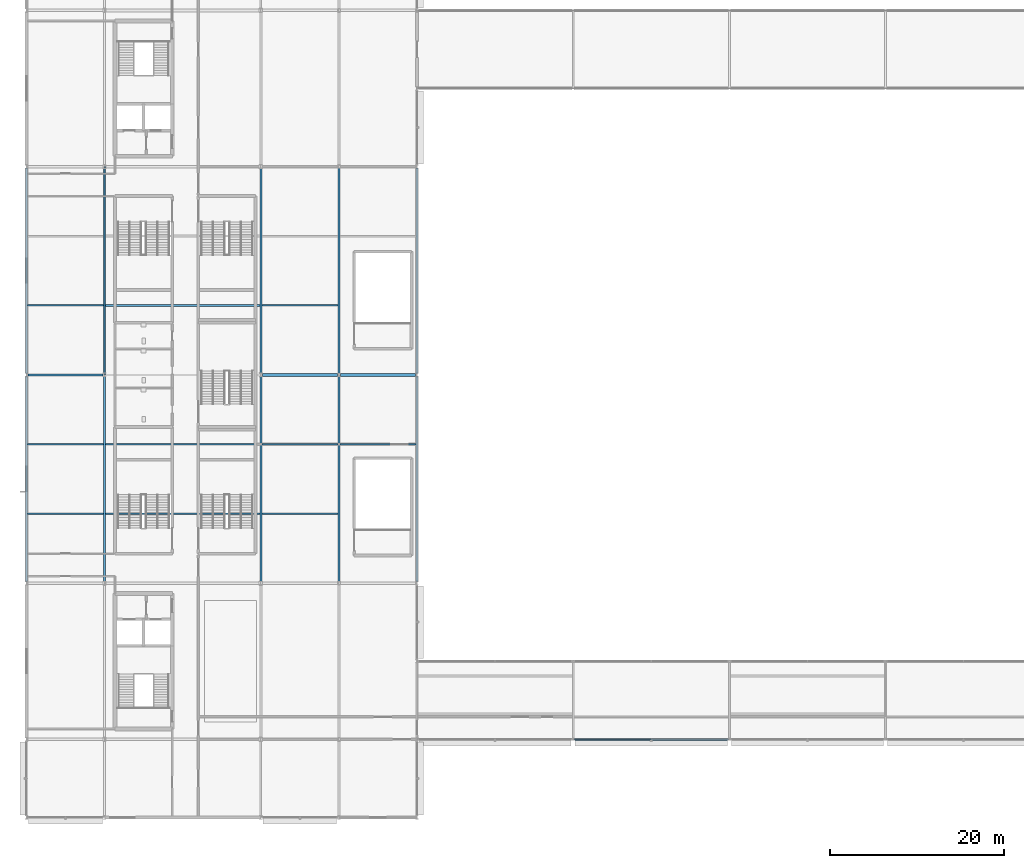
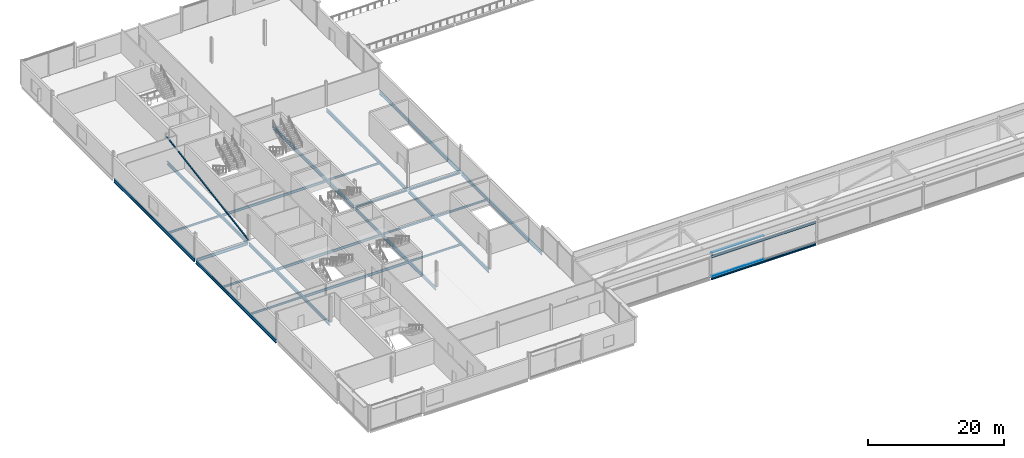
# One storey, part 17 of 73: 25 beams, 3 members, 1 element without a shape of its own.
"""IFC4 building model written with IfcOpenShell, lengths in metres."""

from ifc_helpers import new_model, si_unit, direction, frame, origin, origin_2d, place, context, subcontext, project, spatial, rectangle, hollow_rectangle, i_section, extrude, material, layer, layer_set, material_profile, profile_set, type_object, element, aggregate, save


model = new_model("IFC4")

# Units and contexts
model_context = context("Model", 3, precision=1e-05, world=origin(), true_north=direction((0.0, 1.0)))
body_context = subcontext(model_context, "Body", "Model", "MODEL_VIEW")
ifc_project = project(units=[si_unit("LENGTHUNIT", "METRE"), si_unit("AREAUNIT", "SQUARE_METRE"), si_unit("VOLUMEUNIT", "CUBIC_METRE"), si_unit("PLANEANGLEUNIT", "RADIAN"), si_unit("MASSUNIT", "GRAM", prefix="KILO")], contexts=[model_context])

# Site, building, storey
site_placement = place(None, origin())
site = spatial("IfcSite", under=ifc_project, at=site_placement, CompositionType="ELEMENT")
building_placement = place(site_placement, origin())
building = spatial("IfcBuilding", under=site, at=building_placement, Name="Kisiwana Market Hall", CompositionType="ELEMENT")
storey_placement = place(building_placement, frame((0.0, 0.0, 33.300048828125)))
storey = spatial("IfcBuildingStorey", under=building, at=storey_placement, Name="L07", CompositionType="ELEMENT", Elevation=33.300048828125)

# Beams
ifc_material_1 = material(Name="Steel S355", Category="steel")
ifc_material_profile_1 = material_profile(ifc_material_1, i_section(OverallWidth=0.19140625, OverallDepth=0.4599609375, WebThickness=0.010009765625, FlangeThickness=0.01611328125, at=origin_2d()), Name="UB 457x191x82")
ifc_profile_set_1 = profile_set([ifc_material_profile_1], Name="Steel S355")
beam_type_1 = type_object("IfcBeamType", Name="BM-GIRD-UB457H", PredefinedType="BEAM", material=ifc_profile_set_1)
beam_1_placement = place(storey_placement, frame((63.12109375, 18.0, 3.52783203125), z_axis=(1.0, 0.0, 0.0), x_axis=(0.0, 1.0, 0.0)))
element("IfcBeam", 1, at=beam_1_placement, inside=storey, type_object=beam_type_1, Name="Roof girder B-2058", PredefinedType="BEAM", context=body_context, shape_type="SweptSolid", body=[
    extrude(i_section(OverallWidth=0.19140625, OverallDepth=0.4599609375, WebThickness=0.010009765625, FlangeThickness=0.01611328125, at=origin_2d()), origin(), (0.0, 0.0, 1.0), 17.7578125),
])
ifc_material_2 = material(Name="Steel S355", Category="steel")
ifc_material_profile_2 = material_profile(ifc_material_2, i_section(OverallWidth=0.209228515625, OverallDepth=0.533203125, WebThickness=0.010009765625, FlangeThickness=0.015625, at=origin_2d()), Name="UB 533x210x92")
ifc_profile_set_2 = profile_set([ifc_material_profile_2], Name="Steel S355")
beam_type_2 = type_object("IfcBeamType", Name="BM-GIRD-UB533", PredefinedType="BEAM", material=ifc_profile_set_2)
beam_2_placement = place(storey_placement, frame((0.18115234375, 60.0, -0.546630859375), z_axis=(1.0, 0.0, 0.0), x_axis=(0.0, 1.0, 0.0)))
element("IfcBeam", 2, at=beam_2_placement, inside=storey, type_object=beam_type_2, Name="Primary girder B-1879", PredefinedType="BEAM", context=body_context, shape_type="SweptSolid", body=[
    extrude(i_section(OverallWidth=0.209228515625, OverallDepth=0.533203125, WebThickness=0.010009765625, FlangeThickness=0.015625, at=origin_2d()), origin(), (0.0, 0.0, 1.0), 8.635498046875),
])
ifc_material_3 = material(Name="Steel S355", Category="steel")
ifc_material_profile_3 = material_profile(ifc_material_3, i_section(OverallWidth=0.22900390625, OverallDepth=0.6123046875, WebThickness=0.011962890625, FlangeThickness=0.01953125, at=origin_2d()), Name="UB 610x229x125")
ifc_profile_set_3 = profile_set([ifc_material_profile_3], Name="Steel S355")
beam_type_3 = type_object("IfcBeamType", Name="BM-GIRD-UB610H", PredefinedType="BEAM", material=ifc_profile_set_3)
for number, where, z_axis, x_axis, name in (
    (3, (0.0, 36.177001953125, -0.586181640625), (0.0, 1.0, 0.0), (-1.0, 0.0, 0.0), "Floor beam B-2031"),
    (4, (0.0, 60.177001953125, -0.586181640625), (0.0, 1.0, 0.0), (-1.0, 0.0, 0.0), "Floor beam B-2032"),
):
    element("IfcBeam", number, at=place(storey_placement, frame(where, z_axis=z_axis, x_axis=x_axis)), inside=storey, type_object=beam_type_3, Name=name, PredefinedType="BEAM", context=body_context, shape_type="SweptSolid", body=[
        extrude(i_section(OverallWidth=0.22900390625, OverallDepth=0.6123046875, WebThickness=0.011962890625, FlangeThickness=0.01953125, at=origin_2d()), origin(), (0.0, 0.0, 1.0), 23.64599609375),
    ])
for number, where, z_axis, x_axis, name in (
    (5, (27.0, 36.183349609375, -0.586181640625), (0.0, 1.0, 0.0), (-1.0, 0.0, 0.0), "Floor beam B-2035"),
    (6, (27.0, 60.183349609375, -0.586181640625), (0.0, 1.0, 0.0), (-1.0, 0.0, 0.0), "Floor beam B-2036"),
):
    element("IfcBeam", number, at=place(storey_placement, frame(where, z_axis=z_axis, x_axis=x_axis)), inside=storey, type_object=beam_type_3, Name=name, PredefinedType="BEAM", context=body_context, shape_type="SweptSolid", body=[
        extrude(i_section(OverallWidth=0.22900390625, OverallDepth=0.6123046875, WebThickness=0.011962890625, FlangeThickness=0.01953125, at=origin_2d()), origin(), (0.0, 0.0, 1.0), 23.63330078125),
    ])
for number, where, z_axis, x_axis, name in (
    (7, (45.0, 36.177001953125, -0.586181640625), (0.0, 1.0, 0.0), (-1.0, 0.0, 0.0), "Floor beam B-2039"),
    (8, (45.0, 60.177001953125, -0.586181640625), (0.0, 1.0, 0.0), (-1.0, 0.0, 0.0), "Floor beam B-2040"),
):
    element("IfcBeam", number, at=place(storey_placement, frame(where, z_axis=z_axis, x_axis=x_axis)), inside=storey, type_object=beam_type_3, Name=name, PredefinedType="BEAM", context=body_context, shape_type="SweptSolid", body=[
        extrude(i_section(OverallWidth=0.22900390625, OverallDepth=0.6123046875, WebThickness=0.011962890625, FlangeThickness=0.01953125, at=origin_2d()), origin(), (0.0, 0.0, 1.0), 23.64599609375),
    ])
for number, where, z_axis, x_axis, name in (
    (9, (9.0, 36.183349609375, -0.586181640625), (0.0, 1.0, 0.0), (-1.0, 0.0, 0.0), "Primary girder B-1883"),
    (10, (9.0, 60.183349609375, -0.586181640625), (0.0, 1.0, 0.0), (-1.0, 0.0, 0.0), "Primary girder B-1884"),
):
    element("IfcBeam", number, at=place(storey_placement, frame(where, z_axis=z_axis, x_axis=x_axis)), inside=storey, type_object=beam_type_3, Name=name, PredefinedType="BEAM", context=body_context, shape_type="SweptSolid", body=[
        extrude(i_section(OverallWidth=0.22900390625, OverallDepth=0.6123046875, WebThickness=0.011962890625, FlangeThickness=0.01953125, at=origin_2d()), origin(), (0.0, 0.0, 1.0), 23.63330078125),
    ])
for number, where, z_axis, x_axis, name in (
    (11, (36.0, 36.177001953125, -0.586181640625), (0.0, 1.0, 0.0), (-1.0, 0.0, 0.0), "Primary girder B-1893"),
    (12, (36.0, 60.177001953125, -0.586181640625), (0.0, 1.0, 0.0), (-1.0, 0.0, 0.0), "Primary girder B-1894"),
):
    element("IfcBeam", number, at=place(storey_placement, frame(where, z_axis=z_axis, x_axis=x_axis)), inside=storey, type_object=beam_type_3, Name=name, PredefinedType="BEAM", context=body_context, shape_type="SweptSolid", body=[
        extrude(i_section(OverallWidth=0.22900390625, OverallDepth=0.6123046875, WebThickness=0.011962890625, FlangeThickness=0.01953125, at=origin_2d()), origin(), (0.0, 0.0, 1.0), 23.64599609375),
    ])
ifc_material_4 = material(Name="Steel S355", Category="steel")
ifc_material_profile_4 = material_profile(ifc_material_4, i_section(OverallWidth=0.17138671875, OverallDepth=0.35498046875, WebThickness=0.00732421875, FlangeThickness=0.011474609375, at=origin_2d()), Name="UB 356x171x51")
ifc_profile_set_4 = profile_set([ifc_material_profile_4], Name="Steel S355")
beam_type_4 = type_object("IfcBeamType", Name="BM-JOIST-UB356", PredefinedType="JOIST", material=ifc_profile_set_4)
for number, where, z_axis, x_axis, name in (
    (13, (0.113525390625, 44.0, -0.45751953125), (1.0, 0.0, 0.0), (0.0, 1.0, 0.0), "Secondary floor joist B-1927"),
    (14, (27.113525390625, 44.0, -0.45751953125), (1.0, 0.0, 0.0), (0.0, 1.0, 0.0), "Secondary floor joist B-1929"),
    (15, (0.113525390625, 52.0, -0.45751953125), (1.0, 0.0, 0.0), (0.0, 1.0, 0.0), "Secondary floor joist B-1933"),
    (16, (27.113525390625, 52.0, -0.45751953125), (1.0, 0.0, 0.0), (0.0, 1.0, 0.0), "Secondary floor joist B-1935"),
    (17, (36.113525390625, 52.0, -0.45751953125), (1.0, 0.0, 0.0), (0.0, 1.0, 0.0), "Secondary floor joist B-1936"),
    (18, (0.113525390625, 68.0, -0.45751953125), (1.0, 0.0, 0.0), (0.0, 1.0, 0.0), "Secondary floor joist B-1941"),
    (19, (27.113525390625, 68.0, -0.45751953125), (1.0, 0.0, 0.0), (0.0, 1.0, 0.0), "Secondary floor joist B-1943"),
):
    element("IfcBeam", number, at=place(storey_placement, frame(where, z_axis=z_axis, x_axis=x_axis)), inside=storey, type_object=beam_type_4, Name=name, PredefinedType="JOIST", context=body_context, shape_type="SweptSolid", body=[
        extrude(i_section(OverallWidth=0.17138671875, OverallDepth=0.35498046875, WebThickness=0.00732421875, FlangeThickness=0.011474609375, at=origin_2d()), origin(), (0.0, 0.0, 1.0), 8.77294921875),
    ])
ifc_material_5 = material(Name="Steel S355", Category="steel")
ifc_material_profile_5 = material_profile(ifc_material_5, i_section(OverallWidth=0.18994140625, OverallDepth=0.453369140625, WebThickness=0.008544921875, FlangeThickness=0.0126953125, at=origin_2d()), Name="UB 457x191x67")
ifc_profile_set_5 = profile_set([ifc_material_profile_5], Name="Steel S355")
beam_type_5 = type_object("IfcBeamType", Name="BM-JOIST-UB457", PredefinedType="JOIST", material=ifc_profile_set_5)
for number, where, z_axis, x_axis, name in (
    (20, (9.113525390625, 44.0, -0.5068359375), (1.0, 0.0, 0.0), (0.0, 1.0, 0.0), "Secondary floor joist B-1928"),
    (21, (9.113525390625, 52.0, -0.5068359375), (1.0, 0.0, 0.0), (0.0, 1.0, 0.0), "Secondary floor joist B-1934"),
    (22, (9.113525390625, 68.0, -0.5068359375), (1.0, 0.0, 0.0), (0.0, 1.0, 0.0), "Secondary floor joist B-1942"),
):
    element("IfcBeam", number, at=place(storey_placement, frame(where, z_axis=z_axis, x_axis=x_axis)), inside=storey, type_object=beam_type_5, Name=name, PredefinedType="JOIST", context=body_context, shape_type="SweptSolid", body=[
        extrude(i_section(OverallWidth=0.18994140625, OverallDepth=0.453369140625, WebThickness=0.008544921875, FlangeThickness=0.0126953125, at=origin_2d()), origin(), (0.0, 0.0, 1.0), 17.77294921875),
    ])
ifc_material_6 = material(Name="Steel S355", Category="steel")
ifc_material_profile_6 = material_profile(ifc_material_6, i_section(OverallWidth=0.314453125, OverallDepth=0.33984375, WebThickness=0.01904296875, FlangeThickness=0.031494140625, at=origin_2d()), Name="UC 305x305x198")
ifc_profile_set_6 = profile_set([ifc_material_profile_6], Name="Steel S355")
beam_type_6 = type_object("IfcBeamType", Name="BM-SKYBR-CHORD", PredefinedType="BEAM", material=ifc_profile_set_6)
beam_3_placement = place(storey_placement, frame((63.12109375, 18.0, -0.43505859375), z_axis=(1.0, 0.0, 0.0), x_axis=(0.0, 1.0, 0.0)))
element("IfcBeam", 23, at=beam_3_placement, inside=storey, type_object=beam_type_6, Name="Floor beam B-1968", PredefinedType="BEAM", context=body_context, shape_type="SweptSolid", body=[
    extrude(i_section(OverallWidth=0.314453125, OverallDepth=0.33984375, WebThickness=0.01904296875, FlangeThickness=0.031494140625, at=origin_2d()), origin(), (0.0, 0.0, 1.0), 17.7578125),
])
beam_4_placement = place(storey_placement, frame((27.183349609375, 60.0, -0.449951171875), z_axis=(1.0, 0.0, 0.0), x_axis=(0.0, 1.0, 0.0)))
element("IfcBeam", 24, at=beam_4_placement, inside=storey, type_object=beam_type_6, Name="Floor beam B-1991", PredefinedType="BEAM", context=body_context, shape_type="SweptSolid", body=[
    extrude(i_section(OverallWidth=0.314453125, OverallDepth=0.33984375, WebThickness=0.01904296875, FlangeThickness=0.031494140625, at=origin_2d()), origin(), (0.0, 0.0, 1.0), 8.635498046875),
])
beam_5_placement = place(storey_placement, frame((36.18115234375, 60.0, -0.449951171875), z_axis=(1.0, 0.0, 0.0), x_axis=(0.0, 1.0, 0.0)))
element("IfcBeam", 25, at=beam_5_placement, inside=storey, type_object=beam_type_6, Name="Floor beam B-1877", PredefinedType="BEAM", context=body_context, shape_type="SweptSolid", body=[
    extrude(i_section(OverallWidth=0.314453125, OverallDepth=0.33984375, WebThickness=0.01904296875, FlangeThickness=0.031494140625, at=origin_2d()), origin(), (0.0, 0.0, 1.0), 8.6376953125),
])

# Curtain wall, members
ifc_material_7 = material(Name="Double-glazed solar-control low-E IGU", Category="glass")
ifc_layer = layer(ifc_material_7, 0.159912109375)
ifc_layer_set = layer_set([ifc_layer], Name="CW-BRG-L07-8200")
curtain_wall_type = type_object("IfcCurtainWallType", Name="CW-BRG-L07-8200", PredefinedType="USERDEFINED", material=ifc_layer_set)
curtain_wall_placement = place(storey_placement, origin())
curtain_wall = element("IfcCurtainWall", 26, at=curtain_wall_placement, inside=storey, type_object=curtain_wall_type, Name="Unitised curtain wall CW-213 (L07)", ObjectType="UNITISED CURTAIN WALL", PredefinedType="USERDEFINED")
ifc_material_8 = material(Name="Aluminium alloy 6063-T6", Category="aluminium")
ifc_material_profile_7 = material_profile(ifc_material_8, rectangle(XDim=0.1201171875, YDim=0.06005859375, at=origin_2d()), Name="ALU TRANSOM 60x120")
ifc_profile_set_7 = profile_set([ifc_material_profile_7], Name="Aluminium alloy 6063-T6")
member_type_1 = type_object("IfcMemberType", Name="CW-TRAN-60x120", PredefinedType="USERDEFINED", material=ifc_profile_set_7)
member_1_placement = place(storey_placement, frame((63.195068359375, 18.0, 0.030029296875), z_axis=(1.0, 0.0, 0.0), x_axis=(0.0, 1.0, 0.0)))
member_1 = element("IfcMember", 27, at=member_1_placement, type_object=member_type_1, Name="CW-213 transom 1.1", ObjectType="TRANSOM", PredefinedType="USERDEFINED", context=body_context, shape_type="SweptSolid", body=[
    extrude(rectangle(XDim=0.1201171875, YDim=0.06005859375, at=origin_2d()), origin(), (0.0, 0.0, 1.0), 8.77001953125),
])
member_2_placement = place(storey_placement, frame((63.195068359375, 18.0, 4.224853515625), z_axis=(1.0, 0.0, 0.0), x_axis=(0.0, 1.0, 0.0)))
member_2 = element("IfcMember", 28, at=member_2_placement, type_object=member_type_1, Name="CW-213 transom 1.2", ObjectType="TRANSOM", PredefinedType="USERDEFINED", context=body_context, shape_type="SweptSolid", body=[
    extrude(rectangle(XDim=0.1201171875, YDim=0.06005859375, at=origin_2d()), origin(), (0.0, 0.0, 1.0), 8.77001953125),
])
aggregate(curtain_wall, [member_1, member_2])

# Member
ifc_material_9 = material(Name="Steel S355", Category="steel")
ifc_material_profile_8 = material_profile(ifc_material_9, hollow_rectangle(XDim=0.179931640625, YDim=0.179931640625, WallThickness=0.010009765625, at=origin_2d()), Name="SHS 180x180x10")
ifc_profile_set_8 = profile_set([ifc_material_profile_8], Name="Steel S355")
member_type_2 = type_object("IfcMemberType", Name="MB-CBF-SHS180", PredefinedType="BRACE", material=ifc_profile_set_8)
member_3_placement = place(storey_placement, frame((9.0, 60.0, 0.0), z_axis=(0.0, 0.986693384179, 0.162592021996), x_axis=(-1.0, 0.0, 0.0)))
element("IfcMember", 29, at=member_3_placement, inside=storey, type_object=member_type_2, Name="CBF-W-S diagonal brace (L07) M-0033", PredefinedType="BRACE", context=body_context, shape_type="SweptSolid", body=[
    extrude(hollow_rectangle(XDim=0.179931640625, YDim=0.179931640625, WallThickness=0.010009765625, at=origin_2d()), origin(), (0.0, 0.0, 1.0), 24.32373046875),
])

save(model, "model.ifc")
